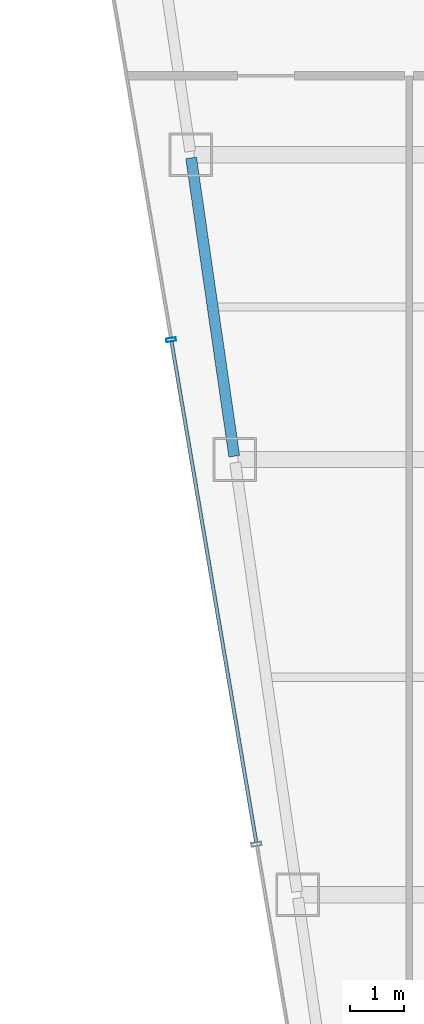
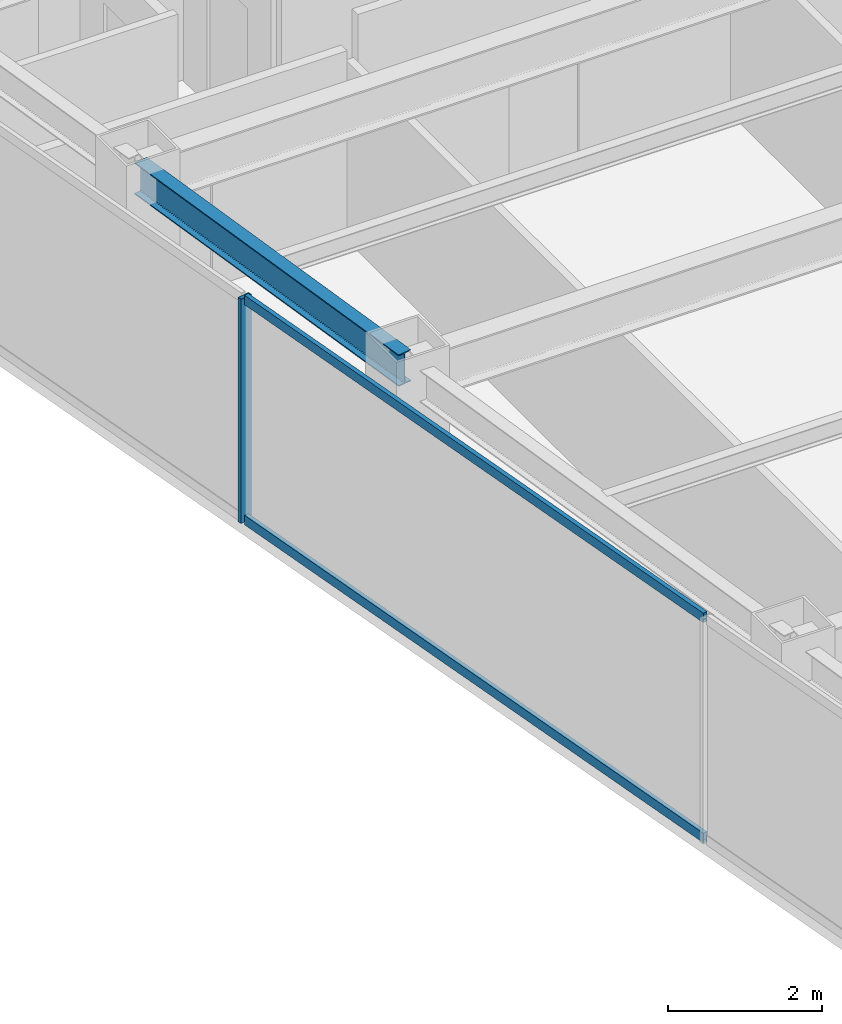
# One storey, part 9 of 36: 3 members, 1 beam, 1 element without a shape of its own.
"""IFC4 building model written with IfcOpenShell, lengths in metres."""

import ifcopenshell
import ifcopenshell.guid

model = None  # the IFC model being written
_history = None  # IfcOwnerHistory: only IFC2X3 demands one
_inside = {}  # id of a spatial element -> (the spatial element, [elements in it])
_under = {}  # id of a project, library or spatial element -> (it, [spatial elements below it])
_declared = {}  # id of a project -> (the project, [libraries it declares])
_typed = {}  # id of a type object -> (the type object, [elements of that type])
_made_of = {}  # id of a material, layer set ... -> (it, [elements and type objects made of it])


def new_model(schema):
    """Start an empty IFC model of exactly this schema.

    Asked for "IFC4X3", IfcOpenShell would pick the latest addendum, in which some entities
    have other attributes; the version numbers below select the first issue.
    IFC2X3 requires an IfcOwnerHistory on every rooted entity: one is made here for all.
    """
    global model, _history
    if schema == "IFC4X3":
        model = ifcopenshell.file(schema_version=(4, 3, 0, 0))
    else:
        model = ifcopenshell.file(schema=schema)
    _inside.clear()
    _under.clear()
    _declared.clear()
    _typed.clear()
    _made_of.clear()
    _history = None
    if model.schema == "IFC2X3":
        org = make("IfcOrganization", Name="unknown")
        user = make(
            "IfcPersonAndOrganization",
            ThePerson=make("IfcPerson", FamilyName="unknown"),
            TheOrganization=org,
        )
        app = make(
            "IfcApplication",
            ApplicationDeveloper=org,
            Version="unknown",
            ApplicationFullName="unknown",
            ApplicationIdentifier="unknown",
        )
        _history = make(
            "IfcOwnerHistory",
            OwningUser=user,
            OwningApplication=app,
            ChangeAction="ADDED",
            CreationDate=0,
        )
    return model


def make(cls, **values):
    """One entity of the class cls with the attributes given. An attribute that is None is left unset."""
    return model.create_entity(
        cls, **{name: value for name, value in values.items() if value is not None}
    )


def rooted(cls, **values):
    """An entity with a GlobalId (a new one), such as an element, a storey or a relation."""
    return make(cls, GlobalId=ifcopenshell.guid.new(), OwnerHistory=_history, **values)


def si_unit(unit_type, name, prefix=None):
    """IfcSIUnit, for example si_unit("LENGTHUNIT", "METRE", prefix="MILLI")."""
    return make("IfcSIUnit", UnitType=unit_type, Prefix=prefix, Name=name)


def assignment(units):
    """IfcUnitAssignment: the units of a project."""
    return None if units is None else make("IfcUnitAssignment", Units=units)


def point(xyz):
    """IfcCartesianPoint."""
    return None if xyz is None else make("IfcCartesianPoint", Coordinates=xyz)


def direction(xyz):
    """IfcDirection."""
    return None if xyz is None else make("IfcDirection", DirectionRatios=xyz)


def frame(location, z_axis=None, x_axis=None):
    """IfcAxis2Placement3D, a coordinate frame: its origin and axes. An axis left out is left unset."""
    return make(
        "IfcAxis2Placement3D",
        Location=point(location),
        Axis=direction(z_axis),
        RefDirection=direction(x_axis),
    )


def frame_2d(location, x_axis=None):
    """IfcAxis2Placement2D, a coordinate frame in the plane: its origin and x axis."""
    return make(
        "IfcAxis2Placement2D", Location=point(location), RefDirection=direction(x_axis)
    )


def origin():
    """The frame at (0, 0, 0) with its axes left unset."""
    return frame((0.0, 0.0, 0.0))


def origin_2d():
    """The frame at (0, 0) in the plane with its x axis left unset."""
    return frame_2d((0.0, 0.0))


def place(relative_to, where):
    """IfcLocalPlacement: puts the frame where relative to a parent placement (None: the world)."""
    return make(
        "IfcLocalPlacement", PlacementRelTo=relative_to, RelativePlacement=where
    )


def context(
    kind, dimensions, precision=None, world=None, true_north=None, identifier=None
):
    """IfcGeometricRepresentationContext, for example the 3D "Model" context."""
    return make(
        "IfcGeometricRepresentationContext",
        ContextIdentifier=identifier,
        ContextType=kind,
        CoordinateSpaceDimension=dimensions,
        Precision=precision,
        WorldCoordinateSystem=world,
        TrueNorth=true_north,
    )


def subcontext(parent, identifier, kind, view, scale=None):
    """IfcGeometricRepresentationSubContext, for example "Body" below "Model"."""
    return make(
        "IfcGeometricRepresentationSubContext",
        ContextIdentifier=identifier,
        ContextType=kind,
        ParentContext=parent,
        TargetScale=scale,
        TargetView=view,
    )


def project(units=None, contexts=None):
    """IfcProject with its units and contexts."""
    return rooted(
        "IfcProject",
        Name="project",
        RepresentationContexts=contexts,
        UnitsInContext=assignment(units),
    )


def spatial(cls, under=None, at=None, **own):
    """A site, building, storey or space (cls), placed at a placement, below another one or the project."""
    s = rooted(cls, ObjectPlacement=at, **own)
    if under is not None:
        _under.setdefault(under.id(), (under, []))[1].append(s)
    return s


def profile(cls, at=None, kind="AREA", **sizes):
    """A parametric profile (cls). Its sizes go by their IFC names, for example OverallWidth=200.0."""
    return make(cls, ProfileType=kind, Position=at, **sizes)


def hollow_rectangle(**sizes):
    """IfcRectangleHollowProfileDef."""
    return profile("IfcRectangleHollowProfileDef", **sizes)


def i_section(**sizes):
    """IfcIShapeProfileDef."""
    return profile("IfcIShapeProfileDef", **sizes)


def extrude(swept, where, along, depth):
    """IfcExtrudedAreaSolid: the profile swept, set in the frame where, extruded along a direction by depth."""
    return make(
        "IfcExtrudedAreaSolid",
        SweptArea=swept,
        Position=where,
        ExtrudedDirection=direction(along),
        Depth=depth,
    )


def shape(context_of_items, identifier, shape_type, items):
    """IfcShapeRepresentation: the items that make up one representation, for example the "Body"."""
    return make(
        "IfcShapeRepresentation",
        ContextOfItems=context_of_items,
        RepresentationIdentifier=identifier,
        RepresentationType=shape_type,
        Items=items,
    )


def material(Name=None, Category=None):
    """IfcMaterial."""
    return make("IfcMaterial", Name=Name, Category=Category)


def material_profile(
    of_material, cross_section, Name=None, Category=None, Priority=None
):
    """IfcMaterialProfile: a cross section and its material."""
    return make(
        "IfcMaterialProfile",
        Name=Name,
        Material=of_material,
        Profile=cross_section,
        Priority=Priority,
        Category=Category,
    )


def profile_set(profiles, Name=None, composite=None):
    """IfcMaterialProfileSet."""
    return make(
        "IfcMaterialProfileSet",
        Name=Name,
        MaterialProfiles=profiles,
        CompositeProfile=composite,
    )


def made_of(thing, what):
    """Note that an element or type object is made of a material, layer set ...; save() writes the relation."""
    if what is not None:
        _made_of.setdefault(what.id(), (what, []))[1].append(thing)
    return thing


def type_object(cls, material=None, **own):
    """A type object (cls), such as IfcWallType, which elements share."""
    return made_of(rooted(cls, **own), material)


def element(
    cls,
    number,
    at=None,
    inside=None,
    cuts=None,
    type_object=None,
    material=None,
    context=None,
    identifier="Body",
    shape_type=None,
    held_by="IfcProductDefinitionShape",
    body=None,
    shapes=None,
    **own,
):
    """One element of the class cls, such as IfcWall. Its Tag is "e" and its number.

    at: its placement. inside: the storey or other place that contains it. cuts: it is an
    opening in that element (IfcRelVoidsElement). A single representation is given by context,
    identifier, shape_type and body (its items); several are given by shapes. held_by: the class
    of the entity that holds the representations. save() writes the other relations.
    """
    e = rooted(cls, Tag="e%d" % number, ObjectPlacement=at, **own)
    if body is not None:
        shapes = [shape(context, identifier, shape_type, body)]
    if shapes is not None:
        e.Representation = make(held_by, Representations=shapes)
    if inside is not None:
        _inside.setdefault(inside.id(), (inside, []))[1].append(e)
    if cuts is not None:
        rooted(
            "IfcRelVoidsElement", RelatingBuildingElement=cuts, RelatedOpeningElement=e
        )
    if type_object is not None:
        _typed.setdefault(type_object.id(), (type_object, []))[1].append(e)
    return made_of(e, material)


def aggregate(whole, parts):
    """IfcRelAggregates: a whole, such as a stair, and the parts it consists of."""
    return rooted("IfcRelAggregates", RelatingObject=whole, RelatedObjects=parts)


def save(model, path):
    """Write the relations noted so far, then the file.

    IfcRelAggregates (storeys below a building ...), IfcRelContainedInSpatialStructure (elements
    in a storey), IfcRelDefinesByType, IfcRelAssociatesMaterial and IfcRelDeclares: one each for
    every whole, place, type object, material and project.
    """
    for whole, parts in _under.values():
        aggregate(whole, parts)
    for where, things in _inside.values():
        rooted(
            "IfcRelContainedInSpatialStructure",
            RelatedElements=things,
            RelatingStructure=where,
        )
    for kind, things in _typed.values():
        rooted("IfcRelDefinesByType", RelatedObjects=things, RelatingType=kind)
    for what, things in _made_of.values():
        rooted("IfcRelAssociatesMaterial", RelatedObjects=things, RelatingMaterial=what)
    for by, libraries in _declared.values():
        rooted("IfcRelDeclares", RelatingContext=by, RelatedDefinitions=libraries)
    model.write(path)


model = new_model("IFC4")

# Units and contexts
model_context = context("Model", 3, precision=1e-05, world=origin(), true_north=direction((0.0, 1.0)))
body_context = subcontext(model_context, "Body", "Model", "MODEL_VIEW")
ifc_project = project(units=[si_unit("LENGTHUNIT", "METRE"), si_unit("AREAUNIT", "SQUARE_METRE"), si_unit("VOLUMEUNIT", "CUBIC_METRE"), si_unit("PLANEANGLEUNIT", "RADIAN"), si_unit("MASSUNIT", "GRAM", prefix="KILO")], contexts=[model_context])

# Site, building, storey
site_placement = place(None, origin())
site = spatial("IfcSite", under=ifc_project, at=site_placement, CompositionType="ELEMENT")
building_placement = place(site_placement, origin())
building = spatial("IfcBuilding", under=site, at=building_placement, Name="Saevonmaru Cultural Tower", CompositionType="ELEMENT")
storey_placement = place(building_placement, frame((0.0, 0.0, 205.60009765625)))
storey = spatial("IfcBuildingStorey", under=building, at=storey_placement, Name="L47", CompositionType="ELEMENT", Elevation=205.60009765625)

# Beam
ifc_material_1 = material(Name="Steel SM355", Category="steel")
ifc_material_profile_1 = material_profile(ifc_material_1, i_section(OverallWidth=0.199951171875, OverallDepth=0.5, WebThickness=0.010009765625, FlangeThickness=0.01611328125, FilletRadius=0.02001953125, at=origin_2d()), Name="H-500x200x10x16")
ifc_profile_set_1 = profile_set([ifc_material_profile_1], Name="Steel SM355")
beam_type = type_object("IfcBeamType", Name="BM-SP-H500", PredefinedType="SPANDREL", material=ifc_profile_set_1)
beam_placement = place(storey_placement, frame((8.308349609375, 32.059326171875, 3.2998046875), z_axis=(-0.142964121327, 0.989727871697, 0.0), x_axis=(-0.989727871697, -0.142964121327, 0.0)))
element("IfcBeam", 1, at=beam_placement, inside=storey, type_object=beam_type, Name="L47 West Splayed Spandrel 3", PredefinedType="SPANDREL", context=body_context, shape_type="SweptSolid", body=[
    extrude(i_section(OverallWidth=0.199951171875, OverallDepth=0.5, WebThickness=0.010009765625, FlangeThickness=0.01611328125, FilletRadius=0.02001953125, at=origin_2d()), origin(), (0.0, 0.0, 1.0), 5.5380859375),
])

# Curtain wall, members
ifc_material_2 = material(Name="Satin Bronze Anodised Aluminium", Category="aluminium")
curtain_wall_type = type_object("IfcCurtainWallType", Name="CW-TYP-B", PredefinedType="NOTDEFINED", material=ifc_material_2)
curtain_wall_placement = place(storey_placement, origin())
curtain_wall = element("IfcCurtainWall", 2, at=curtain_wall_placement, inside=storey, type_object=curtain_wall_type, Name="L47 Unitised Curtain Wall E12", PredefinedType="NOTDEFINED")
ifc_material_profile_2 = material_profile(ifc_material_2, hollow_rectangle(XDim=0.06494140625, YDim=0.179931640625, WallThickness=0.00390625, at=origin_2d()), Name="ALU-MULL-180x65x4")
ifc_profile_set_2 = profile_set([ifc_material_profile_2], Name="Satin Bronze Anodised Aluminium")
member_type_1 = type_object("IfcMemberType", Name="ML-CW-180x65", PredefinedType="MULLION", material=ifc_profile_set_2)
member_1_placement = place(storey_placement, frame((7.14892578125, 34.199951171875, 0.0), z_axis=(0.0, 0.0, 1.0), x_axis=(0.16692169721, -0.985970155228, 0.0)))
member_1 = element("IfcMember", 3, at=member_1_placement, type_object=member_type_1, Name="CW-TW-L47-E12 mullion 3", PredefinedType="MULLION", context=body_context, shape_type="SweptSolid", body=[
    extrude(hollow_rectangle(XDim=0.06494140625, YDim=0.179931640625, WallThickness=0.00390625, at=origin_2d()), origin(), (0.0, 0.0, 1.0), 3.5498046875),
])
ifc_material_profile_3 = material_profile(ifc_material_2, hollow_rectangle(XDim=0.06494140625, YDim=0.14990234375, WallThickness=0.00390625, at=origin_2d()), Name="ALU-TRAN-150x65x4")
ifc_profile_set_3 = profile_set([ifc_material_profile_3], Name="Satin Bronze Anodised Aluminium")
member_type_2 = type_object("IfcMemberType", Name="TR-CW-150x65", PredefinedType="USERDEFINED", material=ifc_profile_set_3)
member_2_placement = place(storey_placement, frame((7.154296875, 34.16796875, 0.032470703125), z_axis=(0.166921263871, -0.985970228591, 0.0), x_axis=(0.985970228591, 0.166921263871, 0.0)))
member_2 = element("IfcMember", 4, at=member_2_placement, type_object=member_type_2, Name="CW-TW-L47-E12 transom 3.1", ObjectType="TRANSOM", PredefinedType="USERDEFINED", context=body_context, shape_type="SweptSolid", body=[
    extrude(hollow_rectangle(XDim=0.06494140625, YDim=0.14990234375, WallThickness=0.00390625, at=origin_2d()), origin(), (0.0, 0.0, 1.0), 9.33740234375),
])
member_3_placement = place(storey_placement, frame((7.154296875, 34.16796875, 3.517333984375), z_axis=(0.166921263871, -0.985970228591, 0.0), x_axis=(0.985970228591, 0.166921263871, 0.0)))
member_3 = element("IfcMember", 5, at=member_3_placement, type_object=member_type_2, Name="CW-TW-L47-E12 transom 3.2", ObjectType="TRANSOM", PredefinedType="USERDEFINED", context=body_context, shape_type="SweptSolid", body=[
    extrude(hollow_rectangle(XDim=0.06494140625, YDim=0.14990234375, WallThickness=0.00390625, at=origin_2d()), origin(), (0.0, 0.0, 1.0), 9.33740234375),
])
aggregate(curtain_wall, [member_1, member_2, member_3])

save(model, "model.ifc")
